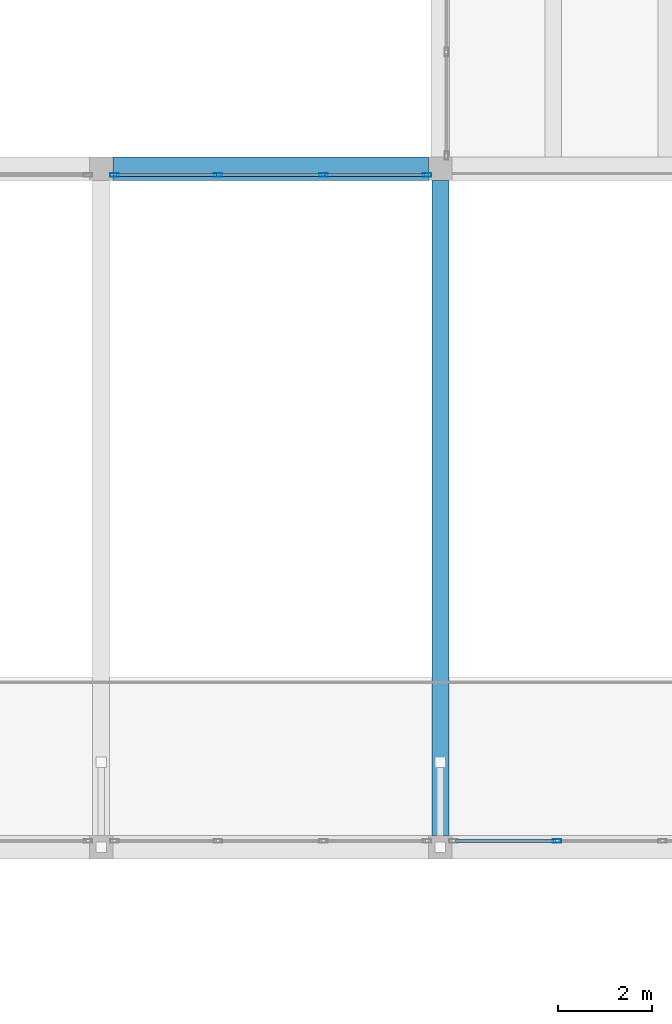
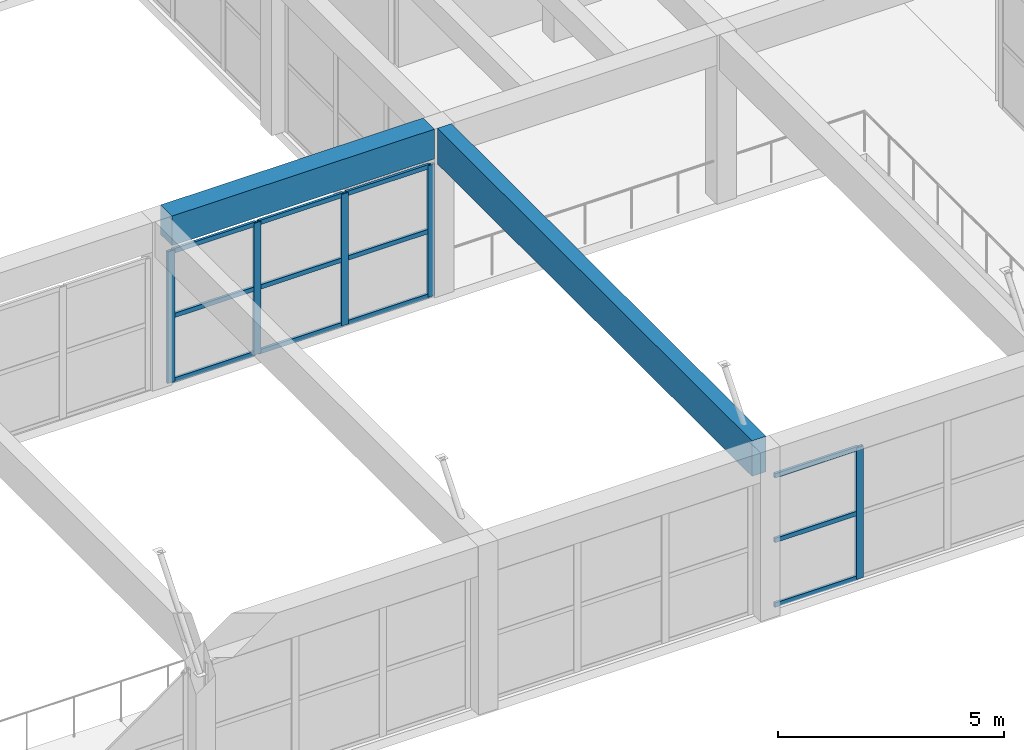
# One storey, part 35 of 153: 17 members, 2 beams, 2 elements without a shape of their own.
"""IFC4 building model written with IfcOpenShell, lengths in metres."""

from ifc_helpers import new_model, si_unit, direction, frame, origin, origin_2d, place, context, subcontext, project, spatial, rectangle, hollow_rectangle, extrude, material, material_profile, profile_set, type_object, element, aggregate, save


model = new_model("IFC4")

# Units and contexts
model_context = context("Model", 3, precision=1e-05, world=origin(), true_north=direction((0.0, 1.0)))
body_context = subcontext(model_context, "Body", "Model", "MODEL_VIEW")
ifc_project = project(units=[si_unit("LENGTHUNIT", "METRE"), si_unit("AREAUNIT", "SQUARE_METRE"), si_unit("VOLUMEUNIT", "CUBIC_METRE"), si_unit("PLANEANGLEUNIT", "RADIAN"), si_unit("MASSUNIT", "GRAM", prefix="KILO")], contexts=[model_context])

# Site, building, storey
site_placement = place(None, origin())
site = spatial("IfcSite", under=ifc_project, at=site_placement, CompositionType="ELEMENT")
building_placement = place(site_placement, origin())
building = spatial("IfcBuilding", under=site, at=building_placement, Name="Bramvelor Terrace Health Centre", CompositionType="ELEMENT")
storey_placement = place(building_placement, frame((0.0, 0.0, 4.800048828125)))
storey = spatial("IfcBuildingStorey", under=building, at=storey_placement, Name="L02", CompositionType="ELEMENT", Elevation=4.800048828125)

# Beams
ifc_material_1 = material(Name="Glulam GL28h", Category="wood")
ifc_material_profile_1 = material_profile(ifc_material_1, rectangle(XDim=0.360107421875, YDim=0.9599609375, at=origin_2d()), Name="GL 360x960")
ifc_profile_set_1 = profile_set([ifc_material_profile_1], Name="Glulam GL28h")
beam_type_1 = type_object("IfcBeamType", Name="BM-GL-TG960", PredefinedType="BEAM", material=ifc_profile_set_1)
beam_1_placement = place(storey_placement, frame((79.199951171875, 36.25, 4.070068359375), z_axis=(0.0, 1.0, 0.0), x_axis=(-1.0, 0.0, 0.0)))
element("IfcBeam", 1, at=beam_1_placement, inside=storey, type_object=beam_type_1, Name="L02 Floor Girder", PredefinedType="BEAM", context=body_context, shape_type="SweptSolid", body=[
    extrude(rectangle(XDim=0.360107421875, YDim=0.9599609375, at=origin_2d()), origin(), (0.0, 0.0, 1.0), 13.89990234375),
])
ifc_material_2 = material(Name="Concrete C40/50", Category="concrete")
ifc_material_profile_2 = material_profile(ifc_material_2, rectangle(XDim=0.5, YDim=0.800048828125, at=origin_2d()), Name="RC 500x800")
ifc_profile_set_2 = profile_set([ifc_material_profile_2], Name="Concrete C40/50")
beam_type_2 = type_object("IfcBeamType", Name="BM-RC-G800", PredefinedType="BEAM", material=ifc_profile_set_2)
beam_2_placement = place(storey_placement, frame((72.25, 50.39990234375, 4.14990234375), z_axis=(1.0, 0.0, 0.0), x_axis=(0.0, 1.0, 0.0)))
element("IfcBeam", 2, at=beam_2_placement, inside=storey, type_object=beam_type_2, Name="L02 Floor Girder", PredefinedType="BEAM", context=body_context, shape_type="SweptSolid", body=[
    extrude(rectangle(XDim=0.5, YDim=0.800048828125, at=origin_2d()), origin(), (0.0, 0.0, 1.0), 6.699951171875),
])

# Curtain wall, member
ifc_material_3 = material(Name="Anodized aluminium and double low-E glass", Category="aluminium")
curtain_wall_type = type_object("IfcCurtainWallType", Name="CW-SYS-20", PredefinedType="NOTDEFINED", material=ifc_material_3)
curtain_wall_1_placement = place(storey_placement, origin())
curtain_wall_1 = element("IfcCurtainWall", 3, at=curtain_wall_1_placement, inside=storey, type_object=curtain_wall_type, Name="L02 Unitized Curtain Wall 118", PredefinedType="NOTDEFINED")
ifc_material_4 = material(Name="Anodized aluminium 6063-T6", Category="aluminium")
ifc_material_profile_3 = material_profile(ifc_material_4, hollow_rectangle(XDim=0.074951171875, YDim=0.179931640625, WallThickness=0.00341796875, at=origin_2d()), Name="ALU-MUL 75x180x3.5")
ifc_profile_set_3 = profile_set([ifc_material_profile_3], Name="Anodized aluminium 6063-T6")
member_type_1 = type_object("IfcMemberType", Name="CW-MUL-65x180", PredefinedType="MULLION", material=ifc_profile_set_3)
member_1_placement = place(storey_placement, frame((81.681640625, 36.1298828125, 0.0), z_axis=(0.0, 0.0, 1.0), x_axis=(0.0, -1.0, 0.0)))
member_1 = element("IfcMember", 4, at=member_1_placement, type_object=member_type_1, Name="CW-20 mullion 3", PredefinedType="MULLION", context=body_context, shape_type="SweptSolid", body=[
    extrude(hollow_rectangle(XDim=0.074951171875, YDim=0.179931640625, WallThickness=0.00341796875, at=origin_2d()), origin(), (0.0, 0.0, 1.0), 3.550048828125),
])

# Curtain wall, members
curtain_wall_2_placement = place(storey_placement, origin())
curtain_wall_2 = element("IfcCurtainWall", 5, at=curtain_wall_2_placement, inside=storey, type_object=curtain_wall_type, Name="L02 Unitized Curtain Wall 137", PredefinedType="NOTDEFINED")
member_2_placement = place(storey_placement, frame((72.282470703125, 50.27001953125, 0.0), z_axis=(0.0, 0.0, 1.0), x_axis=(0.0, 1.0, 0.0)))
member_2 = element("IfcMember", 6, at=member_2_placement, type_object=member_type_1, Name="CW-20 mullion 1", PredefinedType="MULLION", context=body_context, shape_type="SweptSolid", body=[
    extrude(hollow_rectangle(XDim=0.074951171875, YDim=0.179931640625, WallThickness=0.00341796875, at=origin_2d()), origin(), (0.0, 0.0, 1.0), 3.550048828125),
])
member_3_placement = place(storey_placement, frame((74.481689453125, 50.27001953125, 0.0), z_axis=(0.0, 0.0, 1.0), x_axis=(0.0, 1.0, 0.0)))
member_3 = element("IfcMember", 7, at=member_3_placement, type_object=member_type_1, Name="CW-20 mullion 2", PredefinedType="MULLION", context=body_context, shape_type="SweptSolid", body=[
    extrude(hollow_rectangle(XDim=0.074951171875, YDim=0.179931640625, WallThickness=0.00341796875, at=origin_2d()), origin(), (0.0, 0.0, 1.0), 3.550048828125),
])
member_4_placement = place(storey_placement, frame((76.71826171875, 50.27001953125, 0.0), z_axis=(0.0, 0.0, 1.0), x_axis=(0.0, 1.0, 0.0)))
member_4 = element("IfcMember", 8, at=member_4_placement, type_object=member_type_1, Name="CW-20 mullion 3", PredefinedType="MULLION", context=body_context, shape_type="SweptSolid", body=[
    extrude(hollow_rectangle(XDim=0.074951171875, YDim=0.179931640625, WallThickness=0.00341796875, at=origin_2d()), origin(), (0.0, 0.0, 1.0), 3.550048828125),
])
member_5_placement = place(storey_placement, frame((78.91748046875, 50.27001953125, 0.0), z_axis=(0.0, 0.0, 1.0), x_axis=(0.0, 1.0, 0.0)))
member_5 = element("IfcMember", 9, at=member_5_placement, type_object=member_type_1, Name="CW-20 mullion 4", PredefinedType="MULLION", context=body_context, shape_type="SweptSolid", body=[
    extrude(hollow_rectangle(XDim=0.074951171875, YDim=0.179931640625, WallThickness=0.00341796875, at=origin_2d()), origin(), (0.0, 0.0, 1.0), 3.550048828125),
])

# Member
ifc_material_5 = material(Name="Anodized aluminium 6063-T6", Category="aluminium")
ifc_material_profile_4 = material_profile(ifc_material_5, hollow_rectangle(XDim=0.06494140625, YDim=0.1201171875, WallThickness=0.0029296875, at=origin_2d()), Name="ALU-TRN 65x120x3.0")
ifc_profile_set_4 = profile_set([ifc_material_profile_4], Name="Anodized aluminium 6063-T6")
member_type_2 = type_object("IfcMemberType", Name="CW-TRN-65x150", PredefinedType="USERDEFINED", material=ifc_profile_set_4)
member_6_placement = place(storey_placement, frame((81.644287109375, 36.1298828125, 0.032470703125), z_axis=(-1.0, 0.0, 0.0), x_axis=(0.0, -1.0, 0.0)))
member_6 = element("IfcMember", 10, at=member_6_placement, type_object=member_type_2, Name="CW-20 transom 3.1", ObjectType="TRANSOM", PredefinedType="USERDEFINED", context=body_context, shape_type="SweptSolid", body=[
    extrude(hollow_rectangle(XDim=0.06494140625, YDim=0.1201171875, WallThickness=0.0029296875, at=origin_2d()), origin(), (0.0, 0.0, 1.0), 2.124267578125),
])

member_7_placement = place(storey_placement, frame((81.644287109375, 36.1298828125, 1.77490234375), z_axis=(-1.0, 0.0, 0.0), x_axis=(0.0, -1.0, 0.0)))
member_7 = element("IfcMember", 11, at=member_7_placement, type_object=member_type_2, Name="CW-20 transom 3.2", ObjectType="TRANSOM", PredefinedType="USERDEFINED", context=body_context, shape_type="SweptSolid", body=[
    extrude(hollow_rectangle(XDim=0.06494140625, YDim=0.1201171875, WallThickness=0.0029296875, at=origin_2d()), origin(), (0.0, 0.0, 1.0), 2.124267578125),
])

member_8_placement = place(storey_placement, frame((81.644287109375, 36.1298828125, 3.517333984375), z_axis=(-1.0, 0.0, 0.0), x_axis=(0.0, -1.0, 0.0)))
member_8 = element("IfcMember", 12, at=member_8_placement, type_object=member_type_2, Name="CW-20 transom 3.3", ObjectType="TRANSOM", PredefinedType="USERDEFINED", context=body_context, shape_type="SweptSolid", body=[
    extrude(hollow_rectangle(XDim=0.06494140625, YDim=0.1201171875, WallThickness=0.0029296875, at=origin_2d()), origin(), (0.0, 0.0, 1.0), 2.124267578125),
])

aggregate(curtain_wall_1, [member_1, member_6, member_7, member_8])

member_9_placement = place(storey_placement, frame((72.320068359375, 50.27001953125, 0.032470703125), z_axis=(1.0, 0.0, 0.0), x_axis=(0.0, 1.0, 0.0)))
member_9 = element("IfcMember", 13, at=member_9_placement, type_object=member_type_2, Name="CW-20 transom 1.1", ObjectType="TRANSOM", PredefinedType="USERDEFINED", context=body_context, shape_type="SweptSolid", body=[
    extrude(hollow_rectangle(XDim=0.06494140625, YDim=0.1201171875, WallThickness=0.0029296875, at=origin_2d()), origin(), (0.0, 0.0, 1.0), 2.1240234375),
])

member_10_placement = place(storey_placement, frame((72.320068359375, 50.27001953125, 1.77490234375), z_axis=(1.0, 0.0, 0.0), x_axis=(0.0, 1.0, 0.0)))
member_10 = element("IfcMember", 14, at=member_10_placement, type_object=member_type_2, Name="CW-20 transom 1.2", ObjectType="TRANSOM", PredefinedType="USERDEFINED", context=body_context, shape_type="SweptSolid", body=[
    extrude(hollow_rectangle(XDim=0.06494140625, YDim=0.1201171875, WallThickness=0.0029296875, at=origin_2d()), origin(), (0.0, 0.0, 1.0), 2.1240234375),
])

member_11_placement = place(storey_placement, frame((72.320068359375, 50.27001953125, 3.517333984375), z_axis=(1.0, 0.0, 0.0), x_axis=(0.0, 1.0, 0.0)))
member_11 = element("IfcMember", 15, at=member_11_placement, type_object=member_type_2, Name="CW-20 transom 1.3", ObjectType="TRANSOM", PredefinedType="USERDEFINED", context=body_context, shape_type="SweptSolid", body=[
    extrude(hollow_rectangle(XDim=0.06494140625, YDim=0.1201171875, WallThickness=0.0029296875, at=origin_2d()), origin(), (0.0, 0.0, 1.0), 2.1240234375),
])

member_12_placement = place(storey_placement, frame((74.519287109375, 50.27001953125, 0.032470703125), z_axis=(1.0, 0.0, 0.0), x_axis=(0.0, 1.0, 0.0)))
member_12 = element("IfcMember", 16, at=member_12_placement, type_object=member_type_2, Name="CW-20 transom 2.1", ObjectType="TRANSOM", PredefinedType="USERDEFINED", context=body_context, shape_type="SweptSolid", body=[
    extrude(hollow_rectangle(XDim=0.06494140625, YDim=0.1201171875, WallThickness=0.0029296875, at=origin_2d()), origin(), (0.0, 0.0, 1.0), 2.16162109375),
])

member_13_placement = place(storey_placement, frame((74.519287109375, 50.27001953125, 1.77490234375), z_axis=(1.0, 0.0, 0.0), x_axis=(0.0, 1.0, 0.0)))
member_13 = element("IfcMember", 17, at=member_13_placement, type_object=member_type_2, Name="CW-20 transom 2.2", ObjectType="TRANSOM", PredefinedType="USERDEFINED", context=body_context, shape_type="SweptSolid", body=[
    extrude(hollow_rectangle(XDim=0.06494140625, YDim=0.1201171875, WallThickness=0.0029296875, at=origin_2d()), origin(), (0.0, 0.0, 1.0), 2.16162109375),
])

member_14_placement = place(storey_placement, frame((74.519287109375, 50.27001953125, 3.517333984375), z_axis=(1.0, 0.0, 0.0), x_axis=(0.0, 1.0, 0.0)))
member_14 = element("IfcMember", 18, at=member_14_placement, type_object=member_type_2, Name="CW-20 transom 2.3", ObjectType="TRANSOM", PredefinedType="USERDEFINED", context=body_context, shape_type="SweptSolid", body=[
    extrude(hollow_rectangle(XDim=0.06494140625, YDim=0.1201171875, WallThickness=0.0029296875, at=origin_2d()), origin(), (0.0, 0.0, 1.0), 2.16162109375),
])

member_15_placement = place(storey_placement, frame((76.755859375, 50.27001953125, 0.032470703125), z_axis=(1.0, 0.0, 0.0), x_axis=(0.0, 1.0, 0.0)))
member_15 = element("IfcMember", 19, at=member_15_placement, type_object=member_type_2, Name="CW-20 transom 3.1", ObjectType="TRANSOM", PredefinedType="USERDEFINED", context=body_context, shape_type="SweptSolid", body=[
    extrude(hollow_rectangle(XDim=0.06494140625, YDim=0.1201171875, WallThickness=0.0029296875, at=origin_2d()), origin(), (0.0, 0.0, 1.0), 2.1240234375),
])

member_16_placement = place(storey_placement, frame((76.755859375, 50.27001953125, 1.77490234375), z_axis=(1.0, 0.0, 0.0), x_axis=(0.0, 1.0, 0.0)))
member_16 = element("IfcMember", 20, at=member_16_placement, type_object=member_type_2, Name="CW-20 transom 3.2", ObjectType="TRANSOM", PredefinedType="USERDEFINED", context=body_context, shape_type="SweptSolid", body=[
    extrude(hollow_rectangle(XDim=0.06494140625, YDim=0.1201171875, WallThickness=0.0029296875, at=origin_2d()), origin(), (0.0, 0.0, 1.0), 2.1240234375),
])

member_17_placement = place(storey_placement, frame((76.755859375, 50.27001953125, 3.517333984375), z_axis=(1.0, 0.0, 0.0), x_axis=(0.0, 1.0, 0.0)))
member_17 = element("IfcMember", 21, at=member_17_placement, type_object=member_type_2, Name="CW-20 transom 3.3", ObjectType="TRANSOM", PredefinedType="USERDEFINED", context=body_context, shape_type="SweptSolid", body=[
    extrude(hollow_rectangle(XDim=0.06494140625, YDim=0.1201171875, WallThickness=0.0029296875, at=origin_2d()), origin(), (0.0, 0.0, 1.0), 2.1240234375),
])

aggregate(curtain_wall_2, [member_2, member_3, member_4, member_5, member_9, member_10, member_11, member_12, member_13, member_14, member_15, member_16, member_17])

save(model, "model.ifc")
